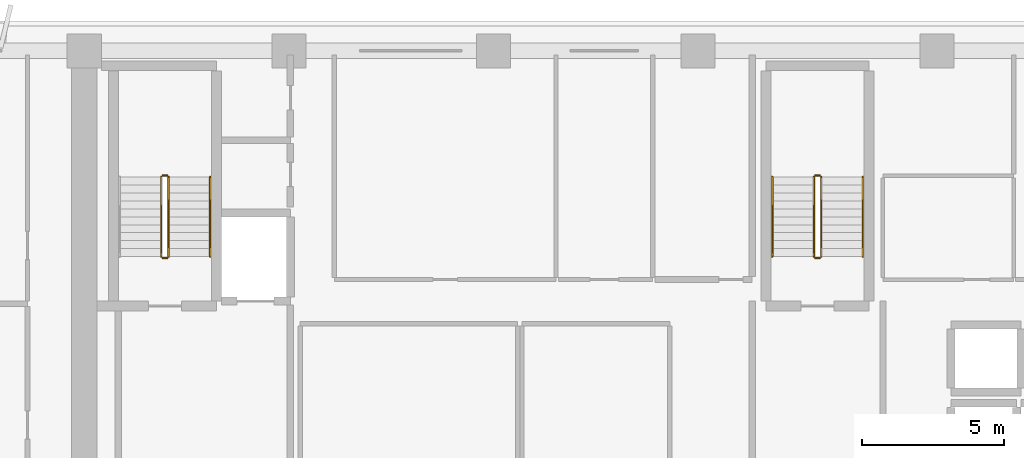
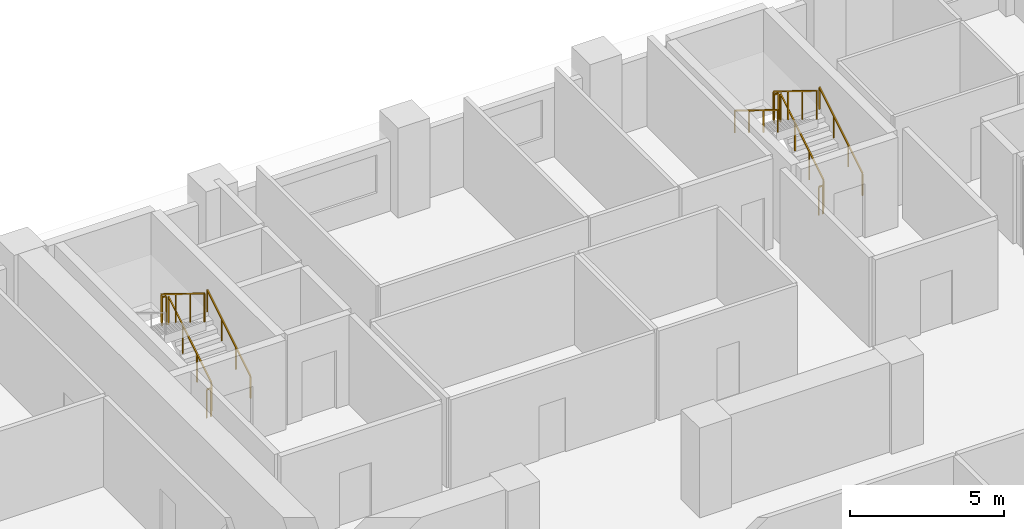
# One storey, part 12 of 14: 11 railings.
"""IFC4 building model written with IfcOpenShell, lengths in metres."""

from ifc_helpers import new_model, si_unit, direction, frame, origin, origin_2d, place, context, subcontext, project, spatial, rectangle, extrude, material, type_object, element, save


model = new_model("IFC4")

# Units and contexts
model_context = context("Model", 3, precision=1e-05, world=origin(), true_north=direction((0.0, 1.0)))
body_context = subcontext(model_context, "Body", "Model", "MODEL_VIEW")
ifc_project = project(units=[si_unit("LENGTHUNIT", "METRE"), si_unit("AREAUNIT", "SQUARE_METRE"), si_unit("VOLUMEUNIT", "CUBIC_METRE"), si_unit("PLANEANGLEUNIT", "RADIAN"), si_unit("MASSUNIT", "GRAM", prefix="KILO")], contexts=[model_context])

# Site, building, storey
site_placement = place(None, origin())
site = spatial("IfcSite", under=ifc_project, at=site_placement, CompositionType="ELEMENT")
building_placement = place(site_placement, origin())
building = spatial("IfcBuilding", under=site, at=building_placement, Name="Kaelvorn Grand Hotel", CompositionType="ELEMENT")
storey_placement = place(building_placement, frame((0.0, 0.0, 209.14990234375)))
storey = spatial("IfcBuildingStorey", under=building, at=storey_placement, Name="L51", CompositionType="ELEMENT", Elevation=209.14990234375)

# Railings
ifc_material = material(Name="Stainless Steel", Category="steel")
railing_type_1 = type_object("IfcRailingType", Name="RL-HANDRAIL-900", PredefinedType="HANDRAIL", material=ifc_material)
for number, where, name in (
    (1, (20.6298828125, 41.760009765625, 0.1728515625), "L51 ST1 stair handrail 1"),
    (2, (43.590087890625, 41.760009765625, 0.1728515625), "L51 ST2 stair handrail 1"),
):
    element("IfcRailing", number, at=place(storey_placement, frame(where)), inside=storey, type_object=railing_type_1, Name=name, PredefinedType="HANDRAIL", context=body_context, shape_type="SweptSolid", body=[
        extrude(rectangle(XDim=0.048095703125, YDim=0.048095703125, at=origin_2d()), frame((0.0, 0.0, 0.8759765625), z_axis=(0.0, 0.851089632645, 0.525020415988), x_axis=(-1.0, 0.0, 0.0)), (0.0, 0.0, 1.0), 3.2900390625),
        extrude(rectangle(XDim=0.0419921875, YDim=0.0419921875, at=origin_2d()), origin(), (0.0, 0.0, 1.0), 0.851806640625),
        extrude(rectangle(XDim=0.0419921875, YDim=0.0419921875, at=origin_2d()), frame((0.0, 0.933349609375, 0.57568359375)), (0.0, 0.0, 1.0), 0.851806640625),
        extrude(rectangle(XDim=0.0419921875, YDim=0.0419921875, at=origin_2d()), frame((0.0, 1.86669921875, 1.151611328125)), (0.0, 0.0, 1.0), 0.851806640625),
        extrude(rectangle(XDim=0.0419921875, YDim=0.0419921875, at=origin_2d()), frame((0.0, 2.800048828125, 1.727294921875)), (0.0, 0.0, 1.0), 0.851806640625),
    ])
railing_1_placement = place(storey_placement, frame((40.409912109375, 44.56005859375, 2.07275390625)))
element("IfcRailing", 3, at=railing_1_placement, inside=storey, type_object=railing_type_1, Name="L51 ST2 stair handrail 2", PredefinedType="HANDRAIL", context=body_context, shape_type="SweptSolid", body=[
    extrude(rectangle(XDim=0.048095703125, YDim=0.048095703125, at=origin_2d()), frame((0.0, 0.0, 0.8759765625), z_axis=(0.0, -0.851089632645, 0.525020415988), x_axis=(1.0, 0.0, 0.0)), (0.0, 0.0, 1.0), 3.2900390625),
    extrude(rectangle(XDim=0.0419921875, YDim=0.0419921875, at=origin_2d()), origin(), (0.0, 0.0, 1.0), 0.851806640625),
    extrude(rectangle(XDim=0.0419921875, YDim=0.0419921875, at=origin_2d()), frame((0.0, -0.933349609375, 0.57568359375)), (0.0, 0.0, 1.0), 0.851806640625),
    extrude(rectangle(XDim=0.0419921875, YDim=0.0419921875, at=origin_2d()), frame((0.0, -1.86669921875, 1.151611328125)), (0.0, 0.0, 1.0), 0.851806640625),
    extrude(rectangle(XDim=0.0419921875, YDim=0.0419921875, at=origin_2d()), frame((0.0, -2.800048828125, 1.727294921875)), (0.0, 0.0, 1.0), 0.851806640625),
])
railing_type_2 = type_object("IfcRailingType", Name="RL-STAIR-GUARD-1150", PredefinedType="BALUSTRADE", material=ifc_material)
railing_2_placement = place(storey_placement, frame((19.169921875, 41.760009765625, 0.1728515625)))
element("IfcRailing", 4, at=railing_2_placement, inside=storey, type_object=railing_type_2, Name="L51 ST1 stair guard 1", PredefinedType="BALUSTRADE", context=body_context, shape_type="SweptSolid", body=[
    extrude(rectangle(XDim=0.048095703125, YDim=0.048095703125, at=origin_2d()), frame((0.0, 0.0, 1.1259765625), z_axis=(0.0, 0.851089632645, 0.525020415988), x_axis=(-1.0, 0.0, 0.0)), (0.0, 0.0, 1.0), 3.2900390625),
    extrude(rectangle(XDim=0.0419921875, YDim=0.0419921875, at=origin_2d()), origin(), (0.0, 0.0, 1.0), 1.101806640625),
    extrude(rectangle(XDim=0.0419921875, YDim=0.0419921875, at=origin_2d()), frame((0.0, 0.933349609375, 0.57568359375)), (0.0, 0.0, 1.0), 1.101806640625),
    extrude(rectangle(XDim=0.0419921875, YDim=0.0419921875, at=origin_2d()), frame((0.0, 1.86669921875, 1.151611328125)), (0.0, 0.0, 1.0), 1.101806640625),
    extrude(rectangle(XDim=0.0419921875, YDim=0.0419921875, at=origin_2d()), frame((0.0, 2.800048828125, 1.727294921875)), (0.0, 0.0, 1.0), 1.101806640625),
])
railing_3_placement = place(storey_placement, frame((19.1201171875, 44.610107421875, 1.900146484375)))
element("IfcRailing", 5, at=railing_3_placement, inside=storey, type_object=railing_type_2, Name="L51 ST1 stair guard 2", PredefinedType="BALUSTRADE", context=body_context, shape_type="SweptSolid", body=[
    extrude(rectangle(XDim=0.048095703125, YDim=0.048095703125, at=origin_2d()), frame((0.0, 0.0, 1.1259765625), z_axis=(-1.0, 0.0, 0.0), x_axis=(0.0, -1.0, 0.0)), (0.0, 0.0, 1.0), 0.16015625),
    extrude(rectangle(XDim=0.0419921875, YDim=0.0419921875, at=origin_2d()), origin(), (0.0, 0.0, 1.0), 1.101806640625),
    extrude(rectangle(XDim=0.0419921875, YDim=0.0419921875, at=origin_2d()), frame((-0.16015625, 0.0, 0.0)), (0.0, 0.0, 1.0), 1.101806640625),
])
railing_4_placement = place(storey_placement, frame((18.909912109375, 44.56005859375, 2.07275390625)))
element("IfcRailing", 6, at=railing_4_placement, inside=storey, type_object=railing_type_2, Name="L51 ST1 stair guard 3", PredefinedType="BALUSTRADE", context=body_context, shape_type="SweptSolid", body=[
    extrude(rectangle(XDim=0.048095703125, YDim=0.048095703125, at=origin_2d()), frame((0.0, 0.0, 1.1259765625), z_axis=(0.0, -0.851089632645, 0.525020415988), x_axis=(1.0, 0.0, 0.0)), (0.0, 0.0, 1.0), 3.2900390625),
    extrude(rectangle(XDim=0.0419921875, YDim=0.0419921875, at=origin_2d()), origin(), (0.0, 0.0, 1.0), 1.101806640625),
    extrude(rectangle(XDim=0.0419921875, YDim=0.0419921875, at=origin_2d()), frame((0.0, -0.933349609375, 0.57568359375)), (0.0, 0.0, 1.0), 1.101806640625),
    extrude(rectangle(XDim=0.0419921875, YDim=0.0419921875, at=origin_2d()), frame((0.0, -1.86669921875, 1.151611328125)), (0.0, 0.0, 1.0), 1.101806640625),
    extrude(rectangle(XDim=0.0419921875, YDim=0.0419921875, at=origin_2d()), frame((0.0, -2.800048828125, 1.727294921875)), (0.0, 0.0, 1.0), 1.101806640625),
])
railing_5_placement = place(storey_placement, frame((19.1201171875, 41.7099609375, 0.0)))
element("IfcRailing", 7, at=railing_5_placement, inside=storey, type_object=railing_type_2, Name="L51 ST1 stair guard 4", PredefinedType="BALUSTRADE", context=body_context, shape_type="SweptSolid", body=[
    extrude(rectangle(XDim=0.048095703125, YDim=0.048095703125, at=origin_2d()), frame((0.0, 0.0, 1.1259765625), z_axis=(-1.0, 0.0, 0.0), x_axis=(0.0, -1.0, 0.0)), (0.0, 0.0, 1.0), 0.16015625),
    extrude(rectangle(XDim=0.0419921875, YDim=0.0419921875, at=origin_2d()), origin(), (0.0, 0.0, 1.0), 1.101806640625),
    extrude(rectangle(XDim=0.0419921875, YDim=0.0419921875, at=origin_2d()), frame((-0.16015625, 0.0, 0.0)), (0.0, 0.0, 1.0), 1.101806640625),
])
railing_6_placement = place(storey_placement, frame((42.1298828125, 41.760009765625, 0.1728515625)))
element("IfcRailing", 8, at=railing_6_placement, inside=storey, type_object=railing_type_2, Name="L51 ST2 stair guard 1", PredefinedType="BALUSTRADE", context=body_context, shape_type="SweptSolid", body=[
    extrude(rectangle(XDim=0.048095703125, YDim=0.048095703125, at=origin_2d()), frame((0.0, 0.0, 1.1259765625), z_axis=(0.0, 0.851089632645, 0.525020415988), x_axis=(-1.0, 0.0, 0.0)), (0.0, 0.0, 1.0), 3.2900390625),
    extrude(rectangle(XDim=0.0419921875, YDim=0.0419921875, at=origin_2d()), origin(), (0.0, 0.0, 1.0), 1.101806640625),
    extrude(rectangle(XDim=0.0419921875, YDim=0.0419921875, at=origin_2d()), frame((0.0, 0.933349609375, 0.57568359375)), (0.0, 0.0, 1.0), 1.101806640625),
    extrude(rectangle(XDim=0.0419921875, YDim=0.0419921875, at=origin_2d()), frame((0.0, 1.86669921875, 1.151611328125)), (0.0, 0.0, 1.0), 1.101806640625),
    extrude(rectangle(XDim=0.0419921875, YDim=0.0419921875, at=origin_2d()), frame((0.0, 2.800048828125, 1.727294921875)), (0.0, 0.0, 1.0), 1.101806640625),
])
railing_7_placement = place(storey_placement, frame((42.080078125, 44.610107421875, 1.900146484375)))
element("IfcRailing", 9, at=railing_7_placement, inside=storey, type_object=railing_type_2, Name="L51 ST2 stair guard 2", PredefinedType="BALUSTRADE", context=body_context, shape_type="SweptSolid", body=[
    extrude(rectangle(XDim=0.048095703125, YDim=0.048095703125, at=origin_2d()), frame((0.0, 0.0, 1.1259765625), z_axis=(-1.0, 0.0, 0.0), x_axis=(0.0, -1.0, 0.0)), (0.0, 0.0, 1.0), 0.16015625),
    extrude(rectangle(XDim=0.0419921875, YDim=0.0419921875, at=origin_2d()), origin(), (0.0, 0.0, 1.0), 1.101806640625),
    extrude(rectangle(XDim=0.0419921875, YDim=0.0419921875, at=origin_2d()), frame((-0.16015625, 0.0, 0.0)), (0.0, 0.0, 1.0), 1.101806640625),
])
railing_8_placement = place(storey_placement, frame((41.8701171875, 44.56005859375, 2.07275390625)))
element("IfcRailing", 10, at=railing_8_placement, inside=storey, type_object=railing_type_2, Name="L51 ST2 stair guard 3", PredefinedType="BALUSTRADE", context=body_context, shape_type="SweptSolid", body=[
    extrude(rectangle(XDim=0.048095703125, YDim=0.048095703125, at=origin_2d()), frame((0.0, 0.0, 1.1259765625), z_axis=(0.0, -0.851089632645, 0.525020415988), x_axis=(1.0, 0.0, 0.0)), (0.0, 0.0, 1.0), 3.2900390625),
    extrude(rectangle(XDim=0.0419921875, YDim=0.0419921875, at=origin_2d()), origin(), (0.0, 0.0, 1.0), 1.101806640625),
    extrude(rectangle(XDim=0.0419921875, YDim=0.0419921875, at=origin_2d()), frame((0.0, -0.933349609375, 0.57568359375)), (0.0, 0.0, 1.0), 1.101806640625),
    extrude(rectangle(XDim=0.0419921875, YDim=0.0419921875, at=origin_2d()), frame((0.0, -1.86669921875, 1.151611328125)), (0.0, 0.0, 1.0), 1.101806640625),
    extrude(rectangle(XDim=0.0419921875, YDim=0.0419921875, at=origin_2d()), frame((0.0, -2.800048828125, 1.727294921875)), (0.0, 0.0, 1.0), 1.101806640625),
])
railing_9_placement = place(storey_placement, frame((42.080078125, 41.7099609375, 0.0)))
element("IfcRailing", 11, at=railing_9_placement, inside=storey, type_object=railing_type_2, Name="L51 ST2 stair guard 4", PredefinedType="BALUSTRADE", context=body_context, shape_type="SweptSolid", body=[
    extrude(rectangle(XDim=0.048095703125, YDim=0.048095703125, at=origin_2d()), frame((0.0, 0.0, 1.1259765625), z_axis=(-1.0, 0.0, 0.0), x_axis=(0.0, -1.0, 0.0)), (0.0, 0.0, 1.0), 0.16015625),
    extrude(rectangle(XDim=0.0419921875, YDim=0.0419921875, at=origin_2d()), origin(), (0.0, 0.0, 1.0), 1.101806640625),
    extrude(rectangle(XDim=0.0419921875, YDim=0.0419921875, at=origin_2d()), frame((-0.16015625, 0.0, 0.0)), (0.0, 0.0, 1.0), 1.101806640625),
])

save(model, "model.ifc")
